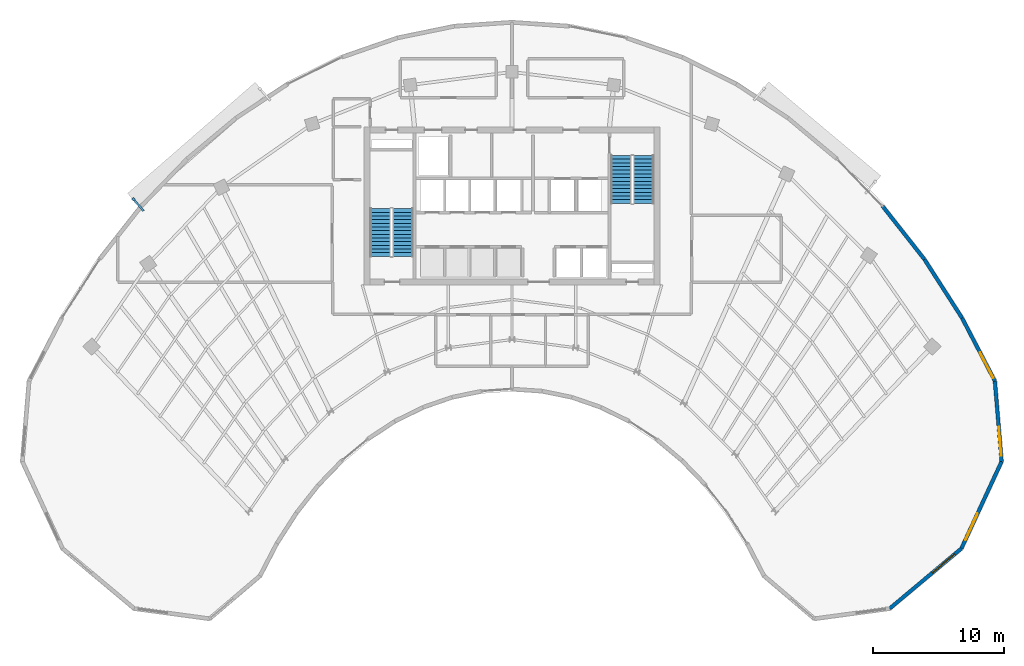
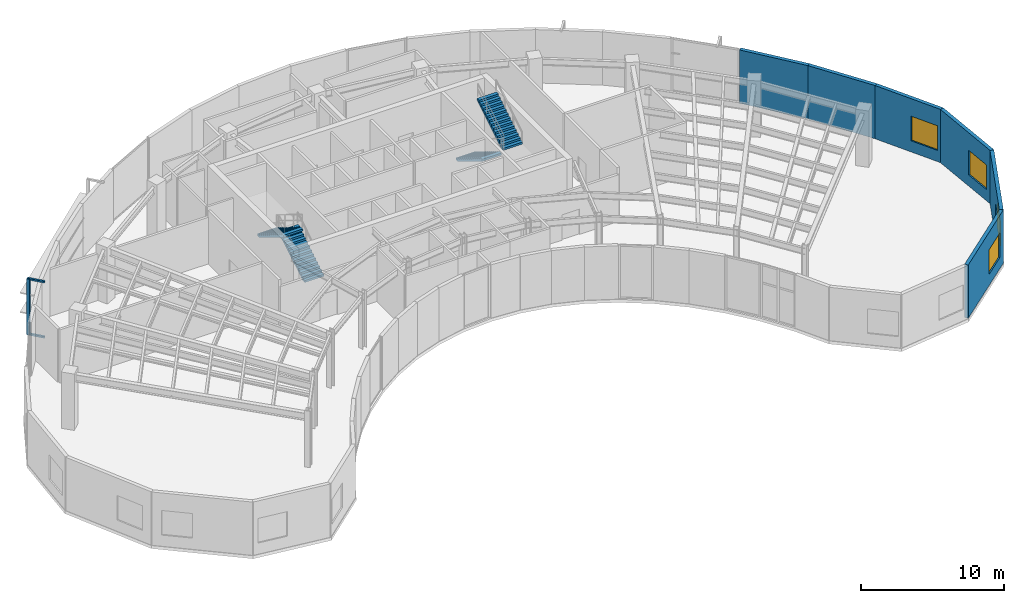
# One storey, part 11 of 15: 6 walls, 4 stair flights, 4 windows, 3 discrete accessories, 4 openings, 2 elements without a shape of their own.
"""IFC4 building model written with IfcOpenShell, lengths in metres."""

from ifc_helpers import new_model, si_unit, direction, frame, frame_2d, origin, origin_2d, place, context, subcontext, project, spatial, polyline, rectangle, outline, extrude, source, transform, mapped, material, layer, layer_set, type_object, type_shapes, element, fill, aggregate, save


model = new_model("IFC4")

# Units and contexts
model_context = context("Model", 3, precision=1e-05, world=origin(), true_north=direction((0.0, 1.0)))
body_context = subcontext(model_context, "Body", "Model", "MODEL_VIEW")
ifc_project = project(units=[si_unit("LENGTHUNIT", "METRE"), si_unit("AREAUNIT", "SQUARE_METRE"), si_unit("VOLUMEUNIT", "CUBIC_METRE"), si_unit("PLANEANGLEUNIT", "RADIAN"), si_unit("MASSUNIT", "GRAM", prefix="KILO")], contexts=[model_context])

# Site, building, storey
site_placement = place(None, origin())
site = spatial("IfcSite", under=ifc_project, at=site_placement, CompositionType="ELEMENT")
building_placement = place(site_placement, origin())
building = spatial("IfcBuilding", under=site, at=building_placement, Name="Breltana Convention Tower", CompositionType="ELEMENT")
storey_placement = place(building_placement, frame((0.0, 0.0, 199.199951171875)))
storey = spatial("IfcBuildingStorey", under=building, at=storey_placement, Name="L48", CompositionType="ELEMENT", Elevation=199.199951171875)

# Wall, opening, window
ifc_material_1 = material(Name="Limestone Buff Insulated Wall", Category="masonry")
ifc_layer = layer(ifc_material_1, 0.280029296875, Name="Limestone Buff Insulated Wall")
ifc_layer_set = layer_set([ifc_layer], Name="Limestone Buff Insulated Wall")
wall_type = type_object("IfcWallType", Name="WL-EXT-NOSE-280", PredefinedType="SOLIDWALL", material=ifc_layer_set)
shared_shape_1 = source(origin(), body_context, "Body", "SweptSolid", [
    extrude(rectangle(XDim=6.145751953125, YDim=0.280029296875, at=frame_2d((3.07275390625, 0.0))), origin(), (0.0, 0.0, 1.0), 4.5400390625),
])
wall_1_placement = place(storey_placement, frame((84.756103515625, 52.87353515625, 0.0), z_axis=(0.0, 0.0, 1.0), x_axis=(0.083301904456, -0.996524356307, 0.0)))
wall_1 = element("IfcWall", 1, at=wall_1_placement, inside=storey, type_object=wall_type, Name="L48 curved limestone nose wall E1", PredefinedType="SOLIDWALL", context=body_context, shape_type="MappedRepresentation", body=[
    mapped(shared_shape_1, transform((0.0, 0.0, 0.0), scale=1.0)),
])
opening_1_placement = place(wall_1_placement, frame((3.50927734375, 0.0, 0.949951171875)))
opening_1 = element("IfcOpeningElement", 2, at=opening_1_placement, cuts=wall_1, Name="Opening W-03", PredefinedType="OPENING", context=body_context, shape_type="SweptSolid", body=[
    extrude(rectangle(XDim=2.199951171875, YDim=2.10009765625, at=frame_2d((1.10009765625, 1.050048828125))), frame((0.0, 0.14990234375, 0.0), z_axis=(0.0, -1.0, 0.0), x_axis=(1.0, 0.0, 0.0)), (0.0, 0.0, 1.0), 0.300048828125),
])
ifc_material_2 = material(Name="Glass Low-E Insulated Window", Category="glass")
window_type = type_object("IfcWindowType", Name="WN-NOSE-2200X2100", PartitioningType="TRIPLE_PANEL_VERTICAL", PredefinedType="WINDOW", material=ifc_material_2)
shared_shape_2 = source(origin(), body_context, "Body", "SweptSolid", [
    extrude(rectangle(XDim=2.199951171875, YDim=2.10009765625, at=frame_2d((1.10009765625, 1.050048828125))), frame((0.0, 0.030029296875, 0.0), z_axis=(0.0, -1.0, 0.0), x_axis=(1.0, 0.0, 0.0)), (0.0, 0.0, 1.0), 0.06005859375),
])
type_shapes(window_type, [shared_shape_2])
window_1_placement = place(opening_1_placement, origin())
window_1 = element("IfcWindow", 3, at=window_1_placement, inside=storey, type_object=window_type, Name="L48 nose window E1", OverallHeight=2.10009765625, OverallWidth=2.199951171875, PartitioningType="TRIPLE_PANEL_VERTICAL", PredefinedType="WINDOW", context=body_context, shape_type="MappedRepresentation", body=[
    mapped(shared_shape_2, transform((0.0, 0.0, 0.0), scale=1.0)),
])
fill(opening_1, window_1)

shared_shape_3 = source(origin(), body_context, "Body", "SweptSolid", [
    extrude(rectangle(XDim=7.29150390625, YDim=0.280029296875, at=frame_2d((3.645751953125, 0.0))), origin(), (0.0, 0.0, 1.0), 4.5400390625),
])
wall_2_placement = place(storey_placement, frame((85.26806640625, 46.7490234375, 0.0), z_axis=(0.0, 0.0, 1.0), x_axis=(-0.419642001049, -0.907689699708, 0.0)))
wall_2 = element("IfcWall", 4, at=wall_2_placement, inside=storey, type_object=wall_type, Name="L48 curved limestone nose wall E2", PredefinedType="SOLIDWALL", context=body_context, shape_type="MappedRepresentation", body=[
    mapped(shared_shape_3, transform((0.0, 0.0, 0.0), scale=1.0)),
])
opening_2_placement = place(wall_2_placement, frame((4.36865234375, 0.0, 0.949951171875)))
opening_2 = element("IfcOpeningElement", 5, at=opening_2_placement, cuts=wall_2, Name="Opening W-03", PredefinedType="OPENING", context=body_context, shape_type="SweptSolid", body=[
    extrude(rectangle(XDim=2.199951171875, YDim=2.10009765625, at=frame_2d((1.10009765625, 1.050048828125))), frame((0.0, 0.14990234375, 0.0), z_axis=(0.0, -1.0, 0.0), x_axis=(1.0, 0.0, 0.0)), (0.0, 0.0, 1.0), 0.300048828125),
])
window_2_placement = place(opening_2_placement, origin())
window_2 = element("IfcWindow", 6, at=window_2_placement, inside=storey, type_object=window_type, Name="L48 nose window E2", OverallHeight=2.10009765625, OverallWidth=2.199951171875, PartitioningType="TRIPLE_PANEL_VERTICAL", PredefinedType="WINDOW", context=body_context, shape_type="MappedRepresentation", body=[
    mapped(shared_shape_2, transform((0.0, 0.0, 0.0), scale=1.0)),
])
fill(opening_2, window_2)

shared_shape_4 = source(origin(), body_context, "Body", "SweptSolid", [
    extrude(rectangle(XDim=7.11962890625, YDim=0.280029296875, at=frame_2d((3.559814453125, 0.0))), origin(), (0.0, 0.0, 1.0), 4.5400390625),
])
wall_3_placement = place(storey_placement, frame((82.208251953125, 40.130615234375, 0.0), z_axis=(0.0, 0.0, 1.0), x_axis=(-0.766709783564, -0.641993853387, 0.0)))
wall_3 = element("IfcWall", 7, at=wall_3_placement, inside=storey, type_object=wall_type, Name="L48 curved limestone nose wall E3", PredefinedType="SOLIDWALL", context=body_context, shape_type="MappedRepresentation", body=[
    mapped(shared_shape_4, transform((0.0, 0.0, 0.0), scale=1.0)),
])
opening_3_placement = place(wall_3_placement, frame((0.679931640625, 0.0, 0.949951171875)))
opening_3 = element("IfcOpeningElement", 8, at=opening_3_placement, cuts=wall_3, Name="Opening W-03", PredefinedType="OPENING", context=body_context, shape_type="SweptSolid", body=[
    extrude(rectangle(XDim=2.199951171875, YDim=2.10009765625, at=frame_2d((1.10009765625, 1.050048828125))), frame((0.0, 0.14990234375, 0.0), z_axis=(0.0, -1.0, 0.0), x_axis=(1.0, 0.0, 0.0)), (0.0, 0.0, 1.0), 0.300048828125),
])
window_3_placement = place(opening_3_placement, origin())
window_3 = element("IfcWindow", 9, at=window_3_placement, inside=storey, type_object=window_type, Name="L48 nose window E3", OverallHeight=2.10009765625, OverallWidth=2.199951171875, PartitioningType="TRIPLE_PANEL_VERTICAL", PredefinedType="WINDOW", context=body_context, shape_type="MappedRepresentation", body=[
    mapped(shared_shape_2, transform((0.0, 0.0, 0.0), scale=1.0)),
])
fill(opening_3, window_3)

shared_shape_5 = source(origin(), body_context, "Body", "SweptSolid", [
    extrude(rectangle(XDim=5.41552734375, YDim=0.280029296875, at=frame_2d((2.707763671875, 0.0))), origin(), (0.0, 0.0, 1.0), 4.5400390625),
])
wall_4_placement = place(storey_placement, frame((82.25537109375, 57.677001953125, 0.0), z_axis=(0.0, 0.0, 1.0), x_axis=(0.46177852435, -0.886995261796, 0.0)))
wall_4 = element("IfcWall", 10, at=wall_4_placement, inside=storey, type_object=wall_type, Name="L48 curved limestone nose wall E34", PredefinedType="SOLIDWALL", context=body_context, shape_type="MappedRepresentation", body=[
    mapped(shared_shape_5, transform((0.0, 0.0, 0.0), scale=1.0)),
])
opening_4_placement = place(wall_4_placement, frame((2.961669921875, 0.0, 0.949951171875)))
opening_4 = element("IfcOpeningElement", 11, at=opening_4_placement, cuts=wall_4, Name="Opening W-03", PredefinedType="OPENING", context=body_context, shape_type="SweptSolid", body=[
    extrude(rectangle(XDim=2.199951171875, YDim=2.10009765625, at=frame_2d((1.10009765625, 1.050048828125))), frame((0.0, 0.14990234375, 0.0), z_axis=(0.0, -1.0, 0.0), x_axis=(1.0, 0.0, 0.0)), (0.0, 0.0, 1.0), 0.300048828125),
])
window_4_placement = place(opening_4_placement, origin())
window_4 = element("IfcWindow", 12, at=window_4_placement, inside=storey, type_object=window_type, Name="L48 nose window E34", OverallHeight=2.10009765625, OverallWidth=2.199951171875, PartitioningType="TRIPLE_PANEL_VERTICAL", PredefinedType="WINDOW", context=body_context, shape_type="MappedRepresentation", body=[
    mapped(shared_shape_2, transform((0.0, 0.0, 0.0), scale=1.0)),
])
fill(opening_4, window_4)

# Walls
shared_shape_6 = source(origin(), body_context, "Body", "SweptSolid", [
    extrude(rectangle(XDim=5.153076171875, YDim=0.280029296875, at=frame_2d((2.57666015625, 0.0))), origin(), (0.0, 0.0, 1.0), 4.5400390625),
])
wall_5_placement = place(storey_placement, frame((76.205322265625, 66.190185546875, 0.0), z_axis=(0.0, 0.0, 1.0), x_axis=(0.618179283891, -0.786037132054, 0.0)))
element("IfcWall", 13, at=wall_5_placement, inside=storey, type_object=wall_type, Name="L48 curved limestone nose wall E32", PredefinedType="SOLIDWALL", context=body_context, shape_type="MappedRepresentation", body=[
    mapped(shared_shape_6, transform((0.0, 0.0, 0.0), scale=1.0)),
])
shared_shape_7 = source(origin(), body_context, "Body", "SweptSolid", [
    extrude(rectangle(XDim=5.302978515625, YDim=0.280029296875, at=frame_2d((2.6513671875, 0.0))), origin(), (0.0, 0.0, 1.0), 4.5400390625),
])
wall_6_placement = place(storey_placement, frame((79.390869140625, 62.1396484375, 0.0), z_axis=(0.0, 0.0, 1.0), x_axis=(0.540178067041, -0.84155074469, 0.0)))
element("IfcWall", 14, at=wall_6_placement, inside=storey, type_object=wall_type, Name="L48 curved limestone nose wall E33", PredefinedType="SOLIDWALL", context=body_context, shape_type="MappedRepresentation", body=[
    mapped(shared_shape_7, transform((0.0, 0.0, 0.0), scale=1.0)),
])

# Stair, stair flights
ifc_material_3 = material(Name="Concrete C40/50", Category="concrete")
stair_type = type_object("IfcStairType", Name="ST-DOG-1560-R171", PredefinedType="HALF_TURN_STAIR", material=ifc_material_3)
stair_1_placement = place(storey_placement, origin())
stair_1 = element("IfcStair", 15, at=stair_1_placement, inside=storey, type_object=stair_type, Name="L48 Protected Core Exit Stair ST-1", PredefinedType="HALF_TURN_STAIR")
stair_flight_type = type_object("IfcStairFlightType", Name="STF-DOG-1560-N14-R171", PredefinedType="STRAIGHT", material=ifc_material_3)
stair_flight_1_placement = place(storey_placement, frame((39.68994140625, 62.360107421875, 0.0), z_axis=(0.0, 0.0, 1.0), x_axis=(0.0, 1.0, 0.0)))
stair_flight_1 = element("IfcStairFlight", 16, at=stair_flight_1_placement, type_object=stair_flight_type, Name="ST-1 flight 1", NumberOfRisers=14, NumberOfTreads=13, PredefinedType="STRAIGHT", RiserHeight=0.171428571, TreadLength=0.28, context=body_context, shape_type="SweptSolid", body=[
    extrude(outline(polyline([(0.0, 0.0), (0.0, 0.17138671875), (0.280029296875, 0.17138671875), (0.280029296875, 0.3427734375), (0.56005859375, 0.3427734375), (0.56005859375, 0.514404296875), (0.840087890625, 0.514404296875), (0.840087890625, 0.685791015625), (1.1201171875, 0.685791015625), (1.1201171875, 0.857177734375), (1.39990234375, 0.857177734375), (1.39990234375, 1.028564453125), (1.679931640625, 1.028564453125), (1.679931640625, 1.199951171875), (1.9599609375, 1.199951171875), (1.9599609375, 1.371337890625), (2.239990234375, 1.371337890625), (2.239990234375, 1.54296875), (2.52001953125, 1.54296875), (2.52001953125, 1.71435546875), (2.800048828125, 1.71435546875), (2.800048828125, 1.8857421875), (3.080078125, 1.8857421875), (3.080078125, 2.05712890625), (3.360107421875, 2.05712890625), (3.360107421875, 2.228515625), (3.639892578125, 2.228515625), (3.639892578125, 2.39990234375), (3.639892578125, 2.052734375), (0.287109375, 0.0), (0.0, 0.0)])), frame((0.0, 0.780029296875, 0.0), z_axis=(0.0, -1.0, 0.0), x_axis=(1.0, 0.0, 0.0)), (0.0, 0.0, 1.0), 1.56005859375),
])
stair_flight_2_placement = place(storey_placement, frame((37.97998046875, 66.0, 2.400146484375), z_axis=(0.0, 0.0, 1.0), x_axis=(0.0, -1.0, 0.0)))
stair_flight_2 = element("IfcStairFlight", 17, at=stair_flight_2_placement, type_object=stair_flight_type, Name="ST-1 flight 2", NumberOfRisers=14, NumberOfTreads=13, PredefinedType="STRAIGHT", RiserHeight=0.171428571, TreadLength=0.28, context=body_context, shape_type="SweptSolid", body=[
    extrude(outline(polyline([(0.0, 0.0), (0.0, 0.17138671875), (0.280029296875, 0.17138671875), (0.280029296875, 0.3427734375), (0.56005859375, 0.3427734375), (0.56005859375, 0.514404296875), (0.840087890625, 0.514404296875), (0.840087890625, 0.685791015625), (1.1201171875, 0.685791015625), (1.1201171875, 0.857177734375), (1.39990234375, 0.857177734375), (1.39990234375, 1.028564453125), (1.679931640625, 1.028564453125), (1.679931640625, 1.199951171875), (1.9599609375, 1.199951171875), (1.9599609375, 1.371337890625), (2.239990234375, 1.371337890625), (2.239990234375, 1.54296875), (2.52001953125, 1.54296875), (2.52001953125, 1.71435546875), (2.800048828125, 1.71435546875), (2.800048828125, 1.8857421875), (3.080078125, 1.8857421875), (3.080078125, 2.05712890625), (3.360107421875, 2.05712890625), (3.360107421875, 2.228515625), (3.639892578125, 2.228515625), (3.639892578125, 2.39990234375), (3.639892578125, 2.052734375), (0.287109375, 0.0), (0.0, 0.0)])), frame((0.0, 0.780029296875, 0.0), z_axis=(0.0, -1.0, 0.0), x_axis=(1.0, 0.0, 0.0)), (0.0, 0.0, 1.0), 1.56005859375),
])
aggregate(stair_1, [stair_flight_1, stair_flight_2])

stair_2_placement = place(storey_placement, origin())
stair_2 = element("IfcStair", 18, at=stair_2_placement, inside=storey, type_object=stair_type, Name="L48 Protected Core Exit Stair ST-2", PredefinedType="HALF_TURN_STAIR")
stair_flight_3_placement = place(storey_placement, frame((56.31005859375, 70.0400390625, 0.0), z_axis=(0.0, 0.0, 1.0), x_axis=(0.0, -1.0, 0.0)))
stair_flight_3 = element("IfcStairFlight", 19, at=stair_flight_3_placement, type_object=stair_flight_type, Name="ST-2 flight 1", NumberOfRisers=14, NumberOfTreads=13, PredefinedType="STRAIGHT", RiserHeight=0.171428571, TreadLength=0.28, context=body_context, shape_type="SweptSolid", body=[
    extrude(outline(polyline([(0.0, 0.0), (0.0, 0.17138671875), (0.280029296875, 0.17138671875), (0.280029296875, 0.3427734375), (0.56005859375, 0.3427734375), (0.56005859375, 0.514404296875), (0.840087890625, 0.514404296875), (0.840087890625, 0.685791015625), (1.1201171875, 0.685791015625), (1.1201171875, 0.857177734375), (1.39990234375, 0.857177734375), (1.39990234375, 1.028564453125), (1.679931640625, 1.028564453125), (1.679931640625, 1.199951171875), (1.9599609375, 1.199951171875), (1.9599609375, 1.371337890625), (2.239990234375, 1.371337890625), (2.239990234375, 1.54296875), (2.52001953125, 1.54296875), (2.52001953125, 1.71435546875), (2.800048828125, 1.71435546875), (2.800048828125, 1.8857421875), (3.080078125, 1.8857421875), (3.080078125, 2.05712890625), (3.360107421875, 2.05712890625), (3.360107421875, 2.228515625), (3.639892578125, 2.228515625), (3.639892578125, 2.39990234375), (3.639892578125, 2.052734375), (0.287109375, 0.0), (0.0, 0.0)])), frame((0.0, 0.780029296875, 0.0), z_axis=(0.0, -1.0, 0.0), x_axis=(1.0, 0.0, 0.0)), (0.0, 0.0, 1.0), 1.56005859375),
])
stair_flight_4_placement = place(storey_placement, frame((58.02001953125, 66.39990234375, 2.400146484375), z_axis=(0.0, 0.0, 1.0), x_axis=(0.0, 1.0, 0.0)))
stair_flight_4 = element("IfcStairFlight", 20, at=stair_flight_4_placement, type_object=stair_flight_type, Name="ST-2 flight 2", NumberOfRisers=14, NumberOfTreads=13, PredefinedType="STRAIGHT", RiserHeight=0.171428571, TreadLength=0.28, context=body_context, shape_type="SweptSolid", body=[
    extrude(outline(polyline([(0.0, 0.0), (0.0, 0.17138671875), (0.280029296875, 0.17138671875), (0.280029296875, 0.3427734375), (0.56005859375, 0.3427734375), (0.56005859375, 0.514404296875), (0.840087890625, 0.514404296875), (0.840087890625, 0.685791015625), (1.1201171875, 0.685791015625), (1.1201171875, 0.857177734375), (1.39990234375, 0.857177734375), (1.39990234375, 1.028564453125), (1.679931640625, 1.028564453125), (1.679931640625, 1.199951171875), (1.9599609375, 1.199951171875), (1.9599609375, 1.371337890625), (2.239990234375, 1.371337890625), (2.239990234375, 1.54296875), (2.52001953125, 1.54296875), (2.52001953125, 1.71435546875), (2.800048828125, 1.71435546875), (2.800048828125, 1.8857421875), (3.080078125, 1.8857421875), (3.080078125, 2.05712890625), (3.360107421875, 2.05712890625), (3.360107421875, 2.228515625), (3.639892578125, 2.228515625), (3.639892578125, 2.39990234375), (3.639892578125, 2.052734375), (0.287109375, 0.0), (0.0, 0.0)])), frame((0.0, 0.780029296875, 0.0), z_axis=(0.0, -1.0, 0.0), x_axis=(1.0, 0.0, 0.0)), (0.0, 0.0, 1.0), 1.56005859375),
])
aggregate(stair_2, [stair_flight_3, stair_flight_4])

# Discrete accessories
ifc_material_4 = material(Name="Steel S355", Category="steel")
discrete_accessory_type_1 = type_object("IfcDiscreteAccessoryType", Name="ACC-DSF-BRACKET-150", PredefinedType="BRACKET", material=ifc_material_4)
shared_shape_8 = source(origin(), body_context, "Body", "SweptSolid", [
    extrude(rectangle(XDim=1.239990234375, YDim=0.14990234375, at=origin_2d()), origin(), (0.0, 0.0, 1.0), 0.139892578125),
])
type_shapes(discrete_accessory_type_1, [shared_shape_8])
for number, where, z_axis, x_axis, name in (
    (21, (19.545166015625, 66.295166015625, -0.15966796875), (0.0, 0.0, 1.0), (-0.65645174674, 0.754368016423, 0.0), "L48 double-skin slab stand-off bracket 1.1B"),
    (22, (19.545166015625, 66.295166015625, 4.5400390625), (0.0, 0.0, 1.0), (-0.65645174674, 0.754368016423, 0.0), "L48 double-skin slab stand-off bracket 1.1T"),
):
    element("IfcDiscreteAccessory", number, at=place(storey_placement, frame(where, z_axis=z_axis, x_axis=x_axis)), inside=storey, type_object=discrete_accessory_type_1, Name=name, PredefinedType="BRACKET", context=body_context, shape_type="MappedRepresentation", body=[
        mapped(shared_shape_8, transform((0.0, 0.0, 0.0), scale=1.0)),
    ])
discrete_accessory_type_2 = type_object("IfcDiscreteAccessoryType", Name="ACC-DSF-CARRIER-150", PredefinedType="BRACKET", material=ifc_material_4)
shared_shape_9 = source(origin(), body_context, "Body", "SweptSolid", [
    extrude(rectangle(XDim=0.219970703125, YDim=0.219970703125, at=origin_2d()), origin(), (0.0, 0.0, 1.0), 4.760009765625),
])
discrete_accessory_placement = place(storey_placement, frame((19.177490234375, 66.7177734375, -0.1201171875), z_axis=(0.0, 0.0, 1.0), x_axis=(-0.65645174674, 0.754368016423, 0.0)))
element("IfcDiscreteAccessory", 23, at=discrete_accessory_placement, inside=storey, type_object=discrete_accessory_type_2, Name="L48 double-skin outer vertical carrier 1.1", PredefinedType="BRACKET", context=body_context, shape_type="MappedRepresentation", body=[
    mapped(shared_shape_9, transform((0.0, 0.0, 0.0), scale=1.0)),
])

save(model, "model.ifc")
